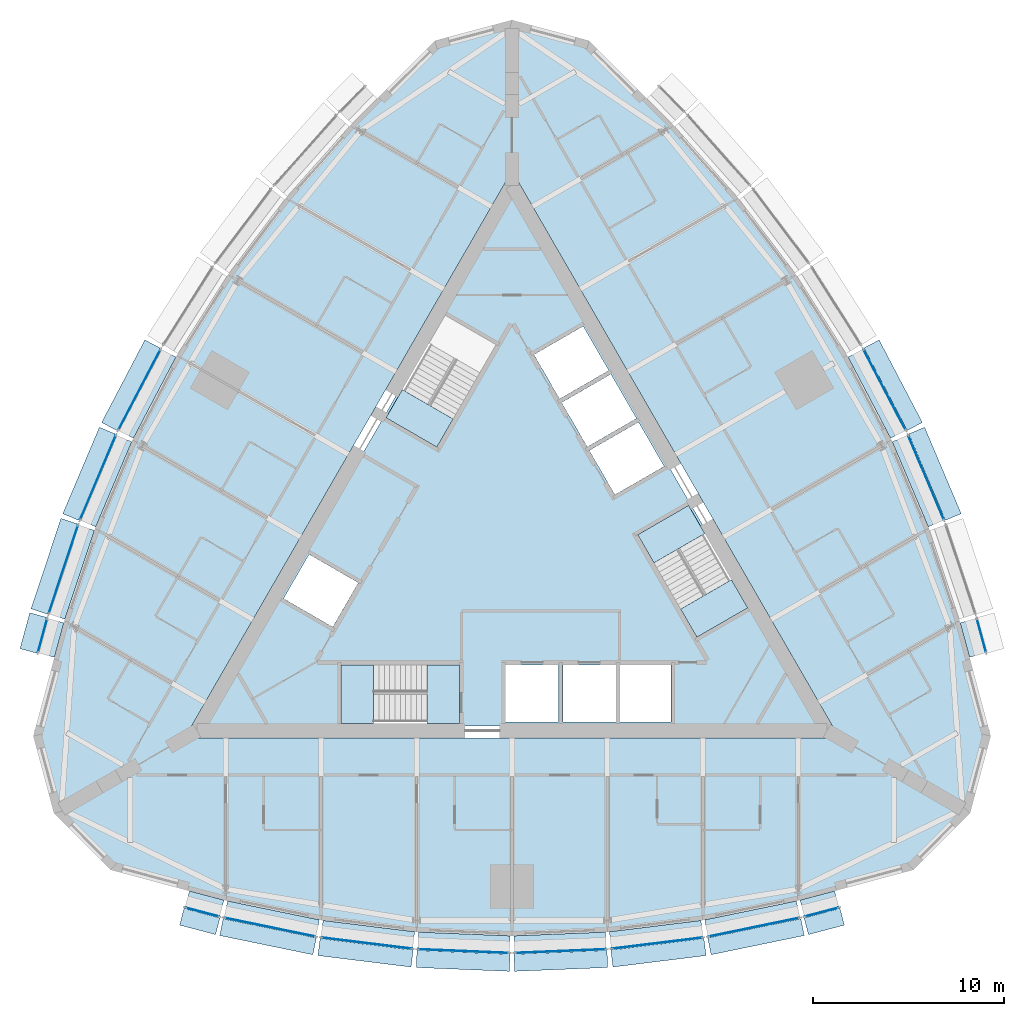
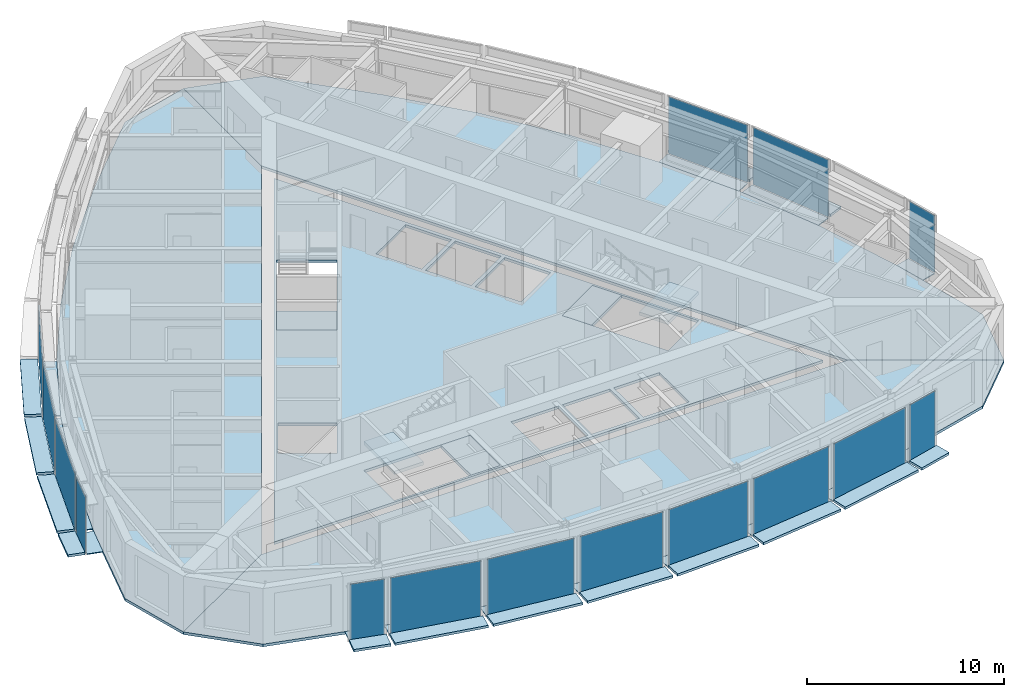
# One storey, part 7 of 15: 44 plates, 9 slabs, 18 elements without a shape of their own.
"""IFC4 building model written with IfcOpenShell, lengths in metres."""

from ifc_helpers import new_model, si_unit, direction, frame, origin, origin_2d, place, context, subcontext, project, spatial, polyline, rectangle, outline, extrude, material, layer, layer_set, type_object, element, aggregate, save


model = new_model("IFC4")

# Units and contexts
model_context = context("Model", 3, precision=1e-05, world=origin(), true_north=direction((0.0, 1.0)))
body_context = subcontext(model_context, "Body", "Model", "MODEL_VIEW")
ifc_project = project(units=[si_unit("LENGTHUNIT", "METRE"), si_unit("AREAUNIT", "SQUARE_METRE"), si_unit("VOLUMEUNIT", "CUBIC_METRE"), si_unit("PLANEANGLEUNIT", "RADIAN"), si_unit("MASSUNIT", "GRAM", prefix="KILO")], contexts=[model_context])

# Site, building, storey
site_placement = place(None, origin())
site = spatial("IfcSite", under=ifc_project, at=site_placement, CompositionType="ELEMENT")
building_placement = place(site_placement, origin())
building = spatial("IfcBuilding", under=site, at=building_placement, Name="Trikona Tower", CompositionType="ELEMENT")
storey_placement = place(building_placement, frame((0.0, 0.0, 218.89990234375)))
storey = spatial("IfcBuildingStorey", under=building, at=storey_placement, Name="L58", CompositionType="ELEMENT", Elevation=218.89990234375)

# Plates
ifc_material_1 = material(Name="Aluminium bar grating", Category="aluminium")
ifc_layer_1 = layer(ifc_material_1, 0.050048828125)
ifc_layer_set_1 = layer_set([ifc_layer_1], Name="Cavity catwalk grating")
plate_type_1 = type_object("IfcPlateType", Name="Cavity catwalk grating", PredefinedType="USERDEFINED", material=ifc_layer_set_1)
plate_1_placement = place(storey_placement, frame((-16.10693359375, -18.5673828125, -0.0498046875), z_axis=(0.0, 0.0, 1.0), x_axis=(0.966993038714, -0.254802792527, 0.0)))
element("IfcPlate", 1, at=plate_1_placement, inside=storey, type_object=plate_type_1, Name="Cavity catwalk L58-00", ObjectType="CATWALK GRATING", PredefinedType="USERDEFINED", context=body_context, shape_type="SweptSolid", body=[
    extrude(rectangle(XDim=1.868408203125, YDim=0.840087890625, at=origin_2d()), origin(), (0.0, 0.0, 1.0), 0.050048828125),
])
plate_2_placement = place(storey_placement, frame((-12.584716796875, -19.35107421875, -0.0498046875), z_axis=(0.0, 0.0, 1.0), x_axis=(0.979457514864, -0.201650629992, 0.0)))
element("IfcPlate", 2, at=plate_2_placement, inside=storey, type_object=plate_type_1, Name="Cavity catwalk L58-01", ObjectType="CATWALK GRATING", PredefinedType="USERDEFINED", context=body_context, shape_type="SweptSolid", body=[
    extrude(rectangle(XDim=4.90478515625, YDim=0.840087890625, at=origin_2d()), origin(), (0.0, 0.0, 1.0), 0.050048828125),
])
plate_3_placement = place(storey_placement, frame((-7.551513671875, -20.179931640625, -0.0498046875), z_axis=(0.0, 0.0, 1.0), x_axis=(0.992455266199, -0.122607277901, 0.0)))
element("IfcPlate", 3, at=plate_3_placement, inside=storey, type_object=plate_type_1, Name="Cavity catwalk L58-02", ObjectType="CATWALK GRATING", PredefinedType="USERDEFINED", context=body_context, shape_type="SweptSolid", body=[
    extrude(rectangle(XDim=4.837890625, YDim=0.840087890625, at=origin_2d()), origin(), (0.0, 0.0, 1.0), 0.050048828125),
])
for number, where, z_axis, x_axis, name in (
    (4, (-2.517333984375, -20.594482421875, -0.0498046875), (0.0, 0.0, 1.0), (0.999153186307, -0.041144991109, 0.0), "Cavity catwalk L58-03"),
    (5, (2.517333984375, -20.594482421875, -0.0498046875), (0.0, 0.0, 1.0), (0.999153186307, 0.041144991109, 0.0), "Cavity catwalk L58-04"),
):
    element("IfcPlate", number, at=place(storey_placement, frame(where, z_axis=z_axis, x_axis=x_axis)), inside=storey, type_object=plate_type_1, Name=name, ObjectType="CATWALK GRATING", PredefinedType="USERDEFINED", context=body_context, shape_type="SweptSolid", body=[
        extrude(rectangle(XDim=4.80419921875, YDim=0.840087890625, at=origin_2d()), origin(), (0.0, 0.0, 1.0), 0.050048828125),
    ])
plate_4_placement = place(storey_placement, frame((7.551513671875, -20.179931640625, -0.0498046875), z_axis=(0.0, 0.0, 1.0), x_axis=(0.992455266199, 0.122607277901, 0.0)))
element("IfcPlate", 6, at=plate_4_placement, inside=storey, type_object=plate_type_1, Name="Cavity catwalk L58-05", ObjectType="CATWALK GRATING", PredefinedType="USERDEFINED", context=body_context, shape_type="SweptSolid", body=[
    extrude(rectangle(XDim=4.837890625, YDim=0.840087890625, at=origin_2d()), origin(), (0.0, 0.0, 1.0), 0.050048828125),
])
plate_5_placement = place(storey_placement, frame((12.584716796875, -19.35107421875, -0.0498046875), z_axis=(0.0, 0.0, 1.0), x_axis=(0.979457514864, 0.201650629992, 0.0)))
element("IfcPlate", 7, at=plate_5_placement, inside=storey, type_object=plate_type_1, Name="Cavity catwalk L58-06", ObjectType="CATWALK GRATING", PredefinedType="USERDEFINED", context=body_context, shape_type="SweptSolid", body=[
    extrude(rectangle(XDim=4.90478515625, YDim=0.840087890625, at=origin_2d()), origin(), (0.0, 0.0, 1.0), 0.050048828125),
])
for number, where, z_axis, x_axis, name in (
    (8, (16.10693359375, -18.5673828125, -0.0498046875), (0.0, 0.0, 1.0), (0.966993038714, 0.254802792527, 0.0), "Cavity catwalk L58-07"),
    (9, (24.13330078125, -4.665283203125, -0.0498046875), (0.0, 0.0, 1.0), (-0.262822408229, 0.964844226667, 0.0), "Cavity catwalk L58-12"),
):
    element("IfcPlate", number, at=place(storey_placement, frame(where, z_axis=z_axis, x_axis=x_axis)), inside=storey, type_object=plate_type_1, Name=name, ObjectType="CATWALK GRATING", PredefinedType="USERDEFINED", context=body_context, shape_type="SweptSolid", body=[
        extrude(rectangle(XDim=1.868408203125, YDim=0.840087890625, at=origin_2d()), origin(), (0.0, 0.0, 1.0), 0.050048828125),
    ])
plate_6_placement = place(storey_placement, frame((21.252197265625, 3.55029296875, -0.0498046875), z_axis=(0.0, 0.0, 1.0), x_axis=(-0.390051437015, 0.920793069306, 0.0)))
element("IfcPlate", 10, at=plate_6_placement, inside=storey, type_object=plate_type_1, Name="Cavity catwalk L58-14", ObjectType="CATWALK GRATING", PredefinedType="USERDEFINED", context=body_context, shape_type="SweptSolid", body=[
    extrude(rectangle(XDim=4.837890625, YDim=0.840087890625, at=origin_2d()), origin(), (0.0, 0.0, 1.0), 0.050048828125),
])
for number, where, z_axis, x_axis, name in (
    (11, (19.093994140625, 8.1171875, -0.0498046875), (0.0, 0.0, 1.0), (-0.463951716224, 0.885860488459, 0.0), "Cavity catwalk L58-15"),
    (12, (-19.093994140625, 8.1171875, -0.0498046875), (0.0, 0.0, 1.0), (-0.463951716224, -0.885860488459, 0.0), "Cavity catwalk L58-28"),
):
    element("IfcPlate", number, at=place(storey_placement, frame(where, z_axis=z_axis, x_axis=x_axis)), inside=storey, type_object=plate_type_1, Name=name, ObjectType="CATWALK GRATING", PredefinedType="USERDEFINED", context=body_context, shape_type="SweptSolid", body=[
        extrude(rectangle(XDim=4.80419921875, YDim=0.840087890625, at=origin_2d()), origin(), (0.0, 0.0, 1.0), 0.050048828125),
    ])
plate_7_placement = place(storey_placement, frame((-21.252197265625, 3.55029296875, -0.0498046875), z_axis=(0.0, 0.0, 1.0), x_axis=(-0.390051437015, -0.920793069306, 0.0)))
element("IfcPlate", 13, at=plate_7_placement, inside=storey, type_object=plate_type_1, Name="Cavity catwalk L58-29", ObjectType="CATWALK GRATING", PredefinedType="USERDEFINED", context=body_context, shape_type="SweptSolid", body=[
    extrude(rectangle(XDim=4.837890625, YDim=0.840087890625, at=origin_2d()), origin(), (0.0, 0.0, 1.0), 0.050048828125),
])
plate_8_placement = place(storey_placement, frame((-23.05078125, -1.22314453125, -0.0498046875), z_axis=(0.0, 0.0, 1.0), x_axis=(-0.315092532747, -0.949060954737, 0.0)))
element("IfcPlate", 14, at=plate_8_placement, inside=storey, type_object=plate_type_1, Name="Cavity catwalk L58-30", ObjectType="CATWALK GRATING", PredefinedType="USERDEFINED", context=body_context, shape_type="SweptSolid", body=[
    extrude(rectangle(XDim=4.90478515625, YDim=0.840087890625, at=origin_2d()), origin(), (0.0, 0.0, 1.0), 0.050048828125),
])
plate_9_placement = place(storey_placement, frame((-24.13330078125, -4.665283203125, -0.0498046875), z_axis=(0.0, 0.0, 1.0), x_axis=(-0.262822408229, -0.964844226667, 0.0)))
element("IfcPlate", 15, at=plate_9_placement, inside=storey, type_object=plate_type_1, Name="Cavity catwalk L58-31", ObjectType="CATWALK GRATING", PredefinedType="USERDEFINED", context=body_context, shape_type="SweptSolid", body=[
    extrude(rectangle(XDim=1.868408203125, YDim=0.840087890625, at=origin_2d()), origin(), (0.0, 0.0, 1.0), 0.050048828125),
])

# Slabs
ifc_material_2 = material(Name="Concrete f'c 5000 psi lightweight on composite steel deck", Category="concrete")
ifc_layer_2 = layer(ifc_material_2, 0.1650390625)
ifc_layer_set_2 = layer_set([ifc_layer_2], Name="Composite floor slab 165")
slab_type_1 = type_object("IfcSlabType", Name="Composite floor slab 165", PredefinedType="FLOOR", material=ifc_layer_set_2)
slab_1_placement = place(storey_placement, frame((0.0, 0.0, -0.164794921875)))
element("IfcSlab", 16, at=slab_1_placement, inside=storey, type_object=slab_type_1, Name="Floor slab L58 core", PredefinedType="FLOOR", context=body_context, shape_type="SweptSolid", body=[
    extrude(outline(polyline([(-16.06689453125, -9.2763671875), (16.06689453125, -9.2763671875), (0.0, 18.552490234375), (-16.06689453125, -9.2763671875)]), holes=[polyline([(6.587158203125, 0.7431640625), (9.687255859375, -4.626220703125), (12.35009765625, -3.088623046875), (9.250244140625, 2.28076171875), (6.587158203125, 0.7431640625)]), polyline([(5.659912109375, -6.086181640625), (5.659912109375, -9.06640625), (8.340087890625, -9.06640625), (8.340087890625, -6.086181640625), (5.659912109375, -6.086181640625)]), polyline([(6.631591796875, 6.646240234375), (4.05078125, 5.15625), (5.390869140625, 2.835205078125), (7.9716796875, 4.3251953125), (6.631591796875, 6.646240234375)]), polyline([(6.521484375, 6.8369140625), (5.181640625, 9.15771484375), (2.600830078125, 7.667724609375), (3.94091796875, 5.3466796875), (6.521484375, 6.8369140625)]), polyline([(2.659912109375, -9.06640625), (5.43994140625, -9.06640625), (5.43994140625, -6.086181640625), (2.659912109375, -6.086181640625), (2.659912109375, -9.06640625)]), polyline([(2.490966796875, 7.858154296875), (5.071533203125, 9.34814453125), (3.731689453125, 11.669189453125), (1.15087890625, 10.17919921875), (2.490966796875, 7.858154296875)]), polyline([(2.43994140625, -9.06640625), (2.43994140625, -6.086181640625), (-0.340087890625, -6.086181640625), (-0.340087890625, -9.06640625), (2.43994140625, -9.06640625)]), polyline([(-3.937255859375, 5.3330078125), (-0.837158203125, 10.702392578125), (-3.500244140625, 12.239990234375), (-6.60009765625, 6.87060546875), (-3.937255859375, 5.3330078125)]), polyline([(-2.75, -6.076416015625), (-8.949951171875, -6.076416015625), (-8.949951171875, -9.1513671875), (-2.75, -9.1513671875), (-2.75, -6.076416015625)]), polyline([(-11.9716796875, -2.602783203125), (-9.390869140625, -4.093017578125), (-8.05078125, -1.77197265625), (-10.631591796875, -0.281982421875), (-11.9716796875, -2.602783203125)])]), origin(), (0.0, 0.0, 1.0), 0.164794921875),
])
slab_2_placement = place(storey_placement, frame((0.0, 0.0, -0.164794921875)))
element("IfcSlab", 17, at=slab_2_placement, inside=storey, type_object=slab_type_1, Name="Floor slab L58 south", PredefinedType="FLOOR", context=body_context, shape_type="SweptSolid", body=[
    extrude(outline(polyline([(21.04150390625, -16.81494140625), (24.0, -13.8564453125), (17.1494140625, -9.9013671875), (-17.1494140625, -9.9013671875), (-24.0, -13.8564453125), (-21.04150390625, -16.81494140625), (-17.0, -17.89794921875), (-15.0, -18.4248046875), (-10.0, -19.454345703125), (-5.0, -20.072021484375), (0.0, -20.27783203125), (5.0, -20.072021484375), (10.0, -19.454345703125), (15.0, -18.4248046875), (17.0, -17.89794921875), (21.04150390625, -16.81494140625)])), origin(), (0.0, 0.0, 1.0), 0.164794921875),
])
slab_3_placement = place(storey_placement, frame((0.0, 0.0, -0.164794921875)))
element("IfcSlab", 18, at=slab_3_placement, inside=storey, type_object=slab_type_1, Name="Floor slab L58 north-east", PredefinedType="FLOOR", context=body_context, shape_type="SweptSolid", body=[
    extrude(outline(polyline([(4.04150390625, 26.6298828125), (0.0, 27.712890625), (0.0, 19.802490234375), (17.1494140625, -9.9013671875), (24.0, -13.8564453125), (25.0830078125, -9.81494140625), (24.0, -5.7734375), (23.456298828125, -3.77783203125), (21.847900390625, 1.06689453125), (19.8828125, 5.705810546875), (17.56103515625, 10.138916015625), (14.8828125, 14.3662109375), (11.847900390625, 18.387451171875), (8.456298828125, 22.202880859375), (7.0, 23.67138671875), (4.04150390625, 26.6298828125)])), origin(), (0.0, 0.0, 1.0), 0.164794921875),
])
slab_4_placement = place(storey_placement, frame((0.0, 0.0, -0.164794921875)))
element("IfcSlab", 19, at=slab_4_placement, inside=storey, type_object=slab_type_1, Name="Floor slab L58 north-west", PredefinedType="FLOOR", context=body_context, shape_type="SweptSolid", body=[
    extrude(outline(polyline([(-7.0, 23.67138671875), (-8.456298828125, 22.202880859375), (-11.847900390625, 18.387451171875), (-14.8828125, 14.3662109375), (-17.56103515625, 10.138916015625), (-19.8828125, 5.705810546875), (-21.847900390625, 1.06689453125), (-23.456298828125, -3.77783203125), (-24.0, -5.7734375), (-25.0830078125, -9.81494140625), (-24.0, -13.8564453125), (-17.1494140625, -9.9013671875), (0.0, 19.802490234375), (0.0, 27.712890625), (-4.04150390625, 26.6298828125), (-7.0, 23.67138671875)])), origin(), (0.0, 0.0, 1.0), 0.164794921875),
])

# Curtain wall, plate
ifc_material_3 = material(Name="Aluminium curtain wall system", Category="aluminium")
curtain_wall_type = type_object("IfcCurtainWallType", Name="Curtain wall DS3", PredefinedType="NOTDEFINED", material=ifc_material_3)
curtain_wall_1_placement = place(storey_placement, origin())
curtain_wall_1 = element("IfcCurtainWall", 20, at=curtain_wall_1_placement, inside=storey, type_object=curtain_wall_type, Name="Curtain wall DS3 L58", PredefinedType="NOTDEFINED")
ifc_material_4 = material(Name="Laminated clear glass", Category="glass")
ifc_layer_3 = layer(ifc_material_4, 0.028076171875)
ifc_layer_set_3 = layer_set([ifc_layer_3], Name="Glass panel DS3")
plate_type_2 = type_object("IfcPlateType", Name="Glass panel DS3", PredefinedType="CURTAIN_PANEL", material=ifc_layer_set_3)
plate_10_placement = place(storey_placement, frame((-16.229248046875, -19.03173828125, 0.0), z_axis=(0.0, 0.0, 1.0), x_axis=(0.966997369647, -0.25478635579, 0.0)))
plate_10 = element("IfcPlate", 21, at=plate_10_placement, type_object=plate_type_2, Name="CW-DS3 panel 1.1", PredefinedType="CURTAIN_PANEL", context=body_context, shape_type="SweptSolid", body=[
    extrude(rectangle(XDim=1.808349609375, YDim=0.028076171875, at=origin_2d()), origin(), (0.0, 0.0, 1.0), 3.530029296875),
])
aggregate(curtain_wall_1, [plate_10])

curtain_wall_2_placement = place(storey_placement, origin())
curtain_wall_2 = element("IfcCurtainWall", 22, at=curtain_wall_2_placement, inside=storey, type_object=curtain_wall_type, Name="Curtain wall DS3 L58", PredefinedType="NOTDEFINED")
plate_11_placement = place(storey_placement, frame((-12.681396484375, -19.821044921875, 0.0), z_axis=(0.0, 0.0, 1.0), x_axis=(0.979457043256, -0.201652920672, 0.0)))
plate_11 = element("IfcPlate", 23, at=plate_11_placement, type_object=plate_type_2, Name="CW-DS3 panel 1.1", PredefinedType="CURTAIN_PANEL", context=body_context, shape_type="SweptSolid", body=[
    extrude(rectangle(XDim=4.8447265625, YDim=0.028076171875, at=origin_2d()), origin(), (0.0, 0.0, 1.0), 3.530029296875),
])
aggregate(curtain_wall_2, [plate_11])

curtain_wall_3_placement = place(storey_placement, origin())
curtain_wall_3 = element("IfcCurtainWall", 24, at=curtain_wall_3_placement, inside=storey, type_object=curtain_wall_type, Name="Curtain wall DS3 L58", PredefinedType="NOTDEFINED")
plate_12_placement = place(storey_placement, frame((-7.6103515625, -20.656494140625, 0.0), z_axis=(0.0, 0.0, 1.0), x_axis=(0.992454850785, -0.122610640458, 0.0)))
plate_12 = element("IfcPlate", 25, at=plate_12_placement, type_object=plate_type_2, Name="CW-DS3 panel 1.1", PredefinedType="CURTAIN_PANEL", context=body_context, shape_type="SweptSolid", body=[
    extrude(rectangle(XDim=4.778076171875, YDim=0.028076171875, at=origin_2d()), origin(), (0.0, 0.0, 1.0), 3.530029296875),
])
aggregate(curtain_wall_3, [plate_12])

curtain_wall_4_placement = place(storey_placement, origin())
curtain_wall_4 = element("IfcCurtainWall", 26, at=curtain_wall_4_placement, inside=storey, type_object=curtain_wall_type, Name="Curtain wall DS3 L58", PredefinedType="NOTDEFINED")
plate_13_placement = place(storey_placement, frame((-2.537109375, -21.07421875, 0.0), z_axis=(0.0, 0.0, 1.0), x_axis=(0.999152865157, -0.04115278907, 0.0)))
plate_13 = element("IfcPlate", 27, at=plate_13_placement, type_object=plate_type_2, Name="CW-DS3 panel 1.1", PredefinedType="CURTAIN_PANEL", context=body_context, shape_type="SweptSolid", body=[
    extrude(rectangle(XDim=4.744140625, YDim=0.028076171875, at=origin_2d()), origin(), (0.0, 0.0, 1.0), 3.530029296875),
])
aggregate(curtain_wall_4, [plate_13])

curtain_wall_5_placement = place(storey_placement, origin())
curtain_wall_5 = element("IfcCurtainWall", 28, at=curtain_wall_5_placement, inside=storey, type_object=curtain_wall_type, Name="Curtain wall DS3 L58", PredefinedType="NOTDEFINED")
plate_14_placement = place(storey_placement, frame((2.537109375, -21.07421875, 0.0), z_axis=(0.0, 0.0, 1.0), x_axis=(0.999152865157, 0.04115278907, 0.0)))
plate_14 = element("IfcPlate", 29, at=plate_14_placement, type_object=plate_type_2, Name="CW-DS3 panel 1.1", PredefinedType="CURTAIN_PANEL", context=body_context, shape_type="SweptSolid", body=[
    extrude(rectangle(XDim=4.744140625, YDim=0.028076171875, at=origin_2d()), origin(), (0.0, 0.0, 1.0), 3.530029296875),
])
aggregate(curtain_wall_5, [plate_14])

curtain_wall_6_placement = place(storey_placement, origin())
curtain_wall_6 = element("IfcCurtainWall", 30, at=curtain_wall_6_placement, inside=storey, type_object=curtain_wall_type, Name="Curtain wall DS3 L58", PredefinedType="NOTDEFINED")
plate_15_placement = place(storey_placement, frame((7.6103515625, -20.656494140625, 0.0), z_axis=(0.0, 0.0, 1.0), x_axis=(0.992454850785, 0.122610640458, 0.0)))
plate_15 = element("IfcPlate", 31, at=plate_15_placement, type_object=plate_type_2, Name="CW-DS3 panel 1.1", PredefinedType="CURTAIN_PANEL", context=body_context, shape_type="SweptSolid", body=[
    extrude(rectangle(XDim=4.778076171875, YDim=0.028076171875, at=origin_2d()), origin(), (0.0, 0.0, 1.0), 3.530029296875),
])
aggregate(curtain_wall_6, [plate_15])

curtain_wall_7_placement = place(storey_placement, origin())
curtain_wall_7 = element("IfcCurtainWall", 32, at=curtain_wall_7_placement, inside=storey, type_object=curtain_wall_type, Name="Curtain wall DS3 L58", PredefinedType="NOTDEFINED")
plate_16_placement = place(storey_placement, frame((12.681396484375, -19.821044921875, 0.0), z_axis=(0.0, 0.0, 1.0), x_axis=(0.979457043256, 0.201652920672, 0.0)))
plate_16 = element("IfcPlate", 33, at=plate_16_placement, type_object=plate_type_2, Name="CW-DS3 panel 1.1", PredefinedType="CURTAIN_PANEL", context=body_context, shape_type="SweptSolid", body=[
    extrude(rectangle(XDim=4.8447265625, YDim=0.028076171875, at=origin_2d()), origin(), (0.0, 0.0, 1.0), 3.530029296875),
])
aggregate(curtain_wall_7, [plate_16])

curtain_wall_8_placement = place(storey_placement, origin())
curtain_wall_8 = element("IfcCurtainWall", 34, at=curtain_wall_8_placement, inside=storey, type_object=curtain_wall_type, Name="Curtain wall DS3 L58", PredefinedType="NOTDEFINED")
plate_17_placement = place(storey_placement, frame((16.229248046875, -19.03173828125, 0.0), z_axis=(0.0, 0.0, 1.0), x_axis=(0.966997369647, 0.25478635579, 0.0)))
plate_17 = element("IfcPlate", 35, at=plate_17_placement, type_object=plate_type_2, Name="CW-DS3 panel 1.1", PredefinedType="CURTAIN_PANEL", context=body_context, shape_type="SweptSolid", body=[
    extrude(rectangle(XDim=1.808349609375, YDim=0.028076171875, at=origin_2d()), origin(), (0.0, 0.0, 1.0), 3.530029296875),
])
aggregate(curtain_wall_8, [plate_17])

curtain_wall_9_placement = place(storey_placement, origin())
curtain_wall_9 = element("IfcCurtainWall", 36, at=curtain_wall_9_placement, inside=storey, type_object=curtain_wall_type, Name="Curtain wall DS3 L58", PredefinedType="NOTDEFINED")
plate_18_placement = place(storey_placement, frame((24.596435546875, -4.539306640625, 0.0), z_axis=(0.0, 0.0, 1.0), x_axis=(-0.262843784676, 0.964838403494, 0.0)))
plate_18 = element("IfcPlate", 37, at=plate_18_placement, type_object=plate_type_2, Name="CW-DS3 panel 1.1", PredefinedType="CURTAIN_PANEL", context=body_context, shape_type="SweptSolid", body=[
    extrude(rectangle(XDim=1.808349609375, YDim=0.028076171875, at=origin_2d()), origin(), (0.0, 0.0, 1.0), 3.530029296875),
])
aggregate(curtain_wall_9, [plate_18])

curtain_wall_10_placement = place(storey_placement, origin())
curtain_wall_10 = element("IfcCurtainWall", 38, at=curtain_wall_10_placement, inside=storey, type_object=curtain_wall_type, Name="Curtain wall DS3 L58", PredefinedType="NOTDEFINED")
plate_19_placement = place(storey_placement, frame((21.694091796875, 3.737548828125, 0.0), z_axis=(0.0, 0.0, 1.0), x_axis=(-0.390053199266, 0.920792322808, 0.0)))
plate_19 = element("IfcPlate", 39, at=plate_19_placement, type_object=plate_type_2, Name="CW-DS3 panel 1.1", PredefinedType="CURTAIN_PANEL", context=body_context, shape_type="SweptSolid", body=[
    extrude(rectangle(XDim=4.778076171875, YDim=0.028076171875, at=origin_2d()), origin(), (0.0, 0.0, 1.0), 3.530029296875),
])
aggregate(curtain_wall_10, [plate_19])

curtain_wall_11_placement = place(storey_placement, origin())
curtain_wall_11 = element("IfcCurtainWall", 40, at=curtain_wall_11_placement, inside=storey, type_object=curtain_wall_type, Name="Curtain wall DS3 L58", PredefinedType="NOTDEFINED")
plate_20_placement = place(storey_placement, frame((19.519287109375, 8.33984375, 0.0), z_axis=(0.0, 0.0, 1.0), x_axis=(-0.463948084434, 0.885862390527, 0.0)))
plate_20 = element("IfcPlate", 41, at=plate_20_placement, type_object=plate_type_2, Name="CW-DS3 panel 1.1", PredefinedType="CURTAIN_PANEL", context=body_context, shape_type="SweptSolid", body=[
    extrude(rectangle(XDim=4.744140625, YDim=0.028076171875, at=origin_2d()), origin(), (0.0, 0.0, 1.0), 3.530029296875),
])
aggregate(curtain_wall_11, [plate_20])

curtain_wall_12_placement = place(storey_placement, origin())
curtain_wall_12 = element("IfcCurtainWall", 42, at=curtain_wall_12_placement, inside=storey, type_object=curtain_wall_type, Name="Curtain wall DS3 L58", PredefinedType="NOTDEFINED")
plate_21_placement = place(storey_placement, frame((-19.519287109375, 8.33984375, 0.0), z_axis=(0.0, 0.0, 1.0), x_axis=(-0.463948084434, -0.885862390527, 0.0)))
plate_21 = element("IfcPlate", 43, at=plate_21_placement, type_object=plate_type_2, Name="CW-DS3 panel 1.1", PredefinedType="CURTAIN_PANEL", context=body_context, shape_type="SweptSolid", body=[
    extrude(rectangle(XDim=4.744140625, YDim=0.028076171875, at=origin_2d()), origin(), (0.0, 0.0, 1.0), 3.530029296875),
])
aggregate(curtain_wall_12, [plate_21])

curtain_wall_13_placement = place(storey_placement, origin())
curtain_wall_13 = element("IfcCurtainWall", 44, at=curtain_wall_13_placement, inside=storey, type_object=curtain_wall_type, Name="Curtain wall DS3 L58", PredefinedType="NOTDEFINED")
plate_22_placement = place(storey_placement, frame((-21.694091796875, 3.737548828125, 0.0), z_axis=(0.0, 0.0, 1.0), x_axis=(-0.390053199266, -0.920792322808, 0.0)))
plate_22 = element("IfcPlate", 45, at=plate_22_placement, type_object=plate_type_2, Name="CW-DS3 panel 1.1", PredefinedType="CURTAIN_PANEL", context=body_context, shape_type="SweptSolid", body=[
    extrude(rectangle(XDim=4.778076171875, YDim=0.028076171875, at=origin_2d()), origin(), (0.0, 0.0, 1.0), 3.530029296875),
])
aggregate(curtain_wall_13, [plate_22])

curtain_wall_14_placement = place(storey_placement, origin())
curtain_wall_14 = element("IfcCurtainWall", 46, at=curtain_wall_14_placement, inside=storey, type_object=curtain_wall_type, Name="Curtain wall DS3 L58", PredefinedType="NOTDEFINED")
plate_23_placement = place(storey_placement, frame((-23.50634765625, -1.072021484375, 0.0), z_axis=(0.0, 0.0, 1.0), x_axis=(-0.315078038687, -0.949065766708, 0.0)))
plate_23 = element("IfcPlate", 47, at=plate_23_placement, type_object=plate_type_2, Name="CW-DS3 panel 1.1", PredefinedType="CURTAIN_PANEL", context=body_context, shape_type="SweptSolid", body=[
    extrude(rectangle(XDim=4.8447265625, YDim=0.028076171875, at=origin_2d()), origin(), (0.0, 0.0, 1.0), 3.530029296875),
])
aggregate(curtain_wall_14, [plate_23])

curtain_wall_15_placement = place(storey_placement, origin())
curtain_wall_15 = element("IfcCurtainWall", 48, at=curtain_wall_15_placement, inside=storey, type_object=curtain_wall_type, Name="Curtain wall DS3 L58", PredefinedType="NOTDEFINED")
plate_24_placement = place(storey_placement, frame((-24.596435546875, -4.539306640625, 0.0), z_axis=(0.0, 0.0, 1.0), x_axis=(-0.262843784676, -0.964838403494, 0.0)))
plate_24 = element("IfcPlate", 49, at=plate_24_placement, type_object=plate_type_2, Name="CW-DS3 panel 1.1", PredefinedType="CURTAIN_PANEL", context=body_context, shape_type="SweptSolid", body=[
    extrude(rectangle(XDim=1.808349609375, YDim=0.028076171875, at=origin_2d()), origin(), (0.0, 0.0, 1.0), 3.530029296875),
])
aggregate(curtain_wall_15, [plate_24])

# Plates
ifc_material_5 = material(Name="Aluminium plate fin, pale anodised, on stainless steel outriggers", Category="steel")
ifc_layer_4 = layer(ifc_material_5, 0.14990234375)
ifc_layer_set_4 = layer_set([ifc_layer_4], Name="Outer skin fin 900")
plate_type_3 = type_object("IfcPlateType", Name="Outer skin fin 900", PredefinedType="USERDEFINED", material=ifc_layer_set_4)
plate_25_placement = place(storey_placement, frame((-16.359375, -19.52490234375, 0.000244140625), z_axis=(0.0, 0.0, 1.0), x_axis=(0.966993038714, -0.254802792527, 0.0)))
element("IfcPlate", 50, at=plate_25_placement, inside=storey, type_object=plate_type_3, Name="Outer skin fin L58-00", ObjectType="FIN", PredefinedType="USERDEFINED", context=body_context, shape_type="SweptSolid", body=[
    extrude(rectangle(XDim=1.9482421875, YDim=0.89990234375, at=origin_2d()), origin(), (0.0, 0.0, 1.0), 0.14990234375),
])
plate_26_placement = place(storey_placement, frame((-12.7841796875, -20.320556640625, 0.000244140625), z_axis=(0.0, 0.0, 1.0), x_axis=(0.979457514864, -0.201650629992, 0.0)))
element("IfcPlate", 51, at=plate_26_placement, inside=storey, type_object=plate_type_3, Name="Outer skin fin L58-01", ObjectType="FIN", PredefinedType="USERDEFINED", context=body_context, shape_type="SweptSolid", body=[
    extrude(rectangle(XDim=4.98486328125, YDim=0.89990234375, at=origin_2d()), origin(), (0.0, 0.0, 1.0), 0.14990234375),
])
plate_27_placement = place(storey_placement, frame((-7.6728515625, -21.16259765625, 0.000244140625), z_axis=(0.0, 0.0, 1.0), x_axis=(0.992455266199, -0.122607277901, 0.0)))
element("IfcPlate", 52, at=plate_27_placement, inside=storey, type_object=plate_type_3, Name="Outer skin fin L58-02", ObjectType="FIN", PredefinedType="USERDEFINED", context=body_context, shape_type="SweptSolid", body=[
    extrude(rectangle(XDim=4.91796875, YDim=0.89990234375, at=origin_2d()), origin(), (0.0, 0.0, 1.0), 0.14990234375),
])
for number, where, z_axis, x_axis, name in (
    (53, (-2.55810546875, -21.583740234375, 0.000244140625), (0.0, 0.0, 1.0), (0.999153186307, -0.041144991109, 0.0), "Outer skin fin L58-03"),
    (54, (2.55810546875, -21.583740234375, 0.000244140625), (0.0, 0.0, 1.0), (0.999153186307, 0.041144991109, 0.0), "Outer skin fin L58-04"),
):
    element("IfcPlate", number, at=place(storey_placement, frame(where, z_axis=z_axis, x_axis=x_axis)), inside=storey, type_object=plate_type_3, Name=name, ObjectType="FIN", PredefinedType="USERDEFINED", context=body_context, shape_type="SweptSolid", body=[
        extrude(rectangle(XDim=4.88427734375, YDim=0.89990234375, at=origin_2d()), origin(), (0.0, 0.0, 1.0), 0.14990234375),
    ])
plate_28_placement = place(storey_placement, frame((7.6728515625, -21.16259765625, 0.000244140625), z_axis=(0.0, 0.0, 1.0), x_axis=(0.992455266199, 0.122607277901, 0.0)))
element("IfcPlate", 55, at=plate_28_placement, inside=storey, type_object=plate_type_3, Name="Outer skin fin L58-05", ObjectType="FIN", PredefinedType="USERDEFINED", context=body_context, shape_type="SweptSolid", body=[
    extrude(rectangle(XDim=4.91796875, YDim=0.89990234375, at=origin_2d()), origin(), (0.0, 0.0, 1.0), 0.14990234375),
])
plate_29_placement = place(storey_placement, frame((12.7841796875, -20.320556640625, 0.000244140625), z_axis=(0.0, 0.0, 1.0), x_axis=(0.979457514864, 0.201650629992, 0.0)))
element("IfcPlate", 56, at=plate_29_placement, inside=storey, type_object=plate_type_3, Name="Outer skin fin L58-06", ObjectType="FIN", PredefinedType="USERDEFINED", context=body_context, shape_type="SweptSolid", body=[
    extrude(rectangle(XDim=4.98486328125, YDim=0.89990234375, at=origin_2d()), origin(), (0.0, 0.0, 1.0), 0.14990234375),
])
plate_30_placement = place(storey_placement, frame((16.359375, -19.52490234375, 0.000244140625), z_axis=(0.0, 0.0, 1.0), x_axis=(0.966993038714, 0.254802792527, 0.0)))
element("IfcPlate", 57, at=plate_30_placement, inside=storey, type_object=plate_type_3, Name="Outer skin fin L58-07", ObjectType="FIN", PredefinedType="USERDEFINED", context=body_context, shape_type="SweptSolid", body=[
    extrude(rectangle(XDim=1.9482421875, YDim=0.89990234375, at=origin_2d()), origin(), (0.0, 0.0, 1.0), 0.14990234375),
])
plate_31_placement = place(storey_placement, frame((22.163818359375, 3.936279296875, 0.000244140625), z_axis=(0.0, 0.0, 1.0), x_axis=(-0.390051437015, 0.920793069306, 0.0)))
element("IfcPlate", 58, at=plate_31_placement, inside=storey, type_object=plate_type_3, Name="Outer skin fin L58-14", ObjectType="FIN", PredefinedType="USERDEFINED", context=body_context, shape_type="SweptSolid", body=[
    extrude(rectangle(XDim=4.91796875, YDim=0.89990234375, at=origin_2d()), origin(), (0.0, 0.0, 1.0), 0.14990234375),
])
for number, where, z_axis, x_axis, name in (
    (59, (19.970947265625, 8.57666015625, 0.000244140625), (0.0, 0.0, 1.0), (-0.463951716224, 0.885860488459, 0.0), "Outer skin fin L58-15"),
    (60, (-19.970947265625, 8.57666015625, 0.000244140625), (0.0, 0.0, 1.0), (-0.463951716224, -0.885860488459, 0.0), "Outer skin fin L58-28"),
):
    element("IfcPlate", number, at=place(storey_placement, frame(where, z_axis=z_axis, x_axis=x_axis)), inside=storey, type_object=plate_type_3, Name=name, ObjectType="FIN", PredefinedType="USERDEFINED", context=body_context, shape_type="SweptSolid", body=[
        extrude(rectangle(XDim=4.88427734375, YDim=0.89990234375, at=origin_2d()), origin(), (0.0, 0.0, 1.0), 0.14990234375),
    ])
plate_32_placement = place(storey_placement, frame((-22.163818359375, 3.936279296875, 0.000244140625), z_axis=(0.0, 0.0, 1.0), x_axis=(-0.390051437015, -0.920793069306, 0.0)))
element("IfcPlate", 61, at=plate_32_placement, inside=storey, type_object=plate_type_3, Name="Outer skin fin L58-29", ObjectType="FIN", PredefinedType="USERDEFINED", context=body_context, shape_type="SweptSolid", body=[
    extrude(rectangle(XDim=4.91796875, YDim=0.89990234375, at=origin_2d()), origin(), (0.0, 0.0, 1.0), 0.14990234375),
])
plate_33_placement = place(storey_placement, frame((-23.990234375, -0.9111328125, 0.000244140625), z_axis=(0.0, 0.0, 1.0), x_axis=(-0.315092532747, -0.949060954737, 0.0)))
element("IfcPlate", 62, at=plate_33_placement, inside=storey, type_object=plate_type_3, Name="Outer skin fin L58-30", ObjectType="FIN", PredefinedType="USERDEFINED", context=body_context, shape_type="SweptSolid", body=[
    extrude(rectangle(XDim=4.98486328125, YDim=0.89990234375, at=origin_2d()), origin(), (0.0, 0.0, 1.0), 0.14990234375),
])
plate_34_placement = place(storey_placement, frame((-25.088623046875, -4.405029296875, 0.000244140625), z_axis=(0.0, 0.0, 1.0), x_axis=(-0.262822408229, -0.964844226667, 0.0)))
element("IfcPlate", 63, at=plate_34_placement, inside=storey, type_object=plate_type_3, Name="Outer skin fin L58-31", ObjectType="FIN", PredefinedType="USERDEFINED", context=body_context, shape_type="SweptSolid", body=[
    extrude(rectangle(XDim=1.9482421875, YDim=0.89990234375, at=origin_2d()), origin(), (0.0, 0.0, 1.0), 0.14990234375),
])

# Stair, slabs
ifc_material_6 = material(Name="Concrete f'c 5000 psi", Category="concrete")
stair_type = type_object("IfcStairType", Name="Core stair", PredefinedType="HALF_TURN_STAIR", material=ifc_material_6)
stair_1_placement = place(storey_placement, origin())
stair_1 = element("IfcStair", 64, at=stair_1_placement, inside=storey, type_object=stair_type, Name="Stair A L58", PredefinedType="HALF_TURN_STAIR")
ifc_material_7 = material(Name="Concrete f'c 5000 psi", Category="concrete")
ifc_layer_5 = layer(ifc_material_7, 0.199951171875)
ifc_layer_set_5 = layer_set([ifc_layer_5], Name="Stair landing 200")
slab_type_2 = type_object("IfcSlabType", Name="Stair landing 200", PredefinedType="LANDING", material=ifc_layer_set_5)
slab_5_placement = place(storey_placement, frame((0.0, 0.0, -0.199951171875)))
slab_5 = element("IfcSlab", 65, at=slab_5_placement, type_object=slab_type_2, Name="ST-A landing 1", PredefinedType="LANDING", context=body_context, shape_type="SweptSolid", body=[
    extrude(outline(polyline([(-4.452880859375, -6.076416015625), (-2.75, -6.076416015625), (-2.75, -9.1513671875), (-4.452880859375, -9.1513671875), (-4.452880859375, -6.076416015625)])), origin(), (0.0, 0.0, 1.0), 0.199951171875),
])
slab_6_placement = place(storey_placement, frame((0.0, 0.0, 1.60009765625)))
slab_6 = element("IfcSlab", 66, at=slab_6_placement, type_object=slab_type_2, Name="ST-A landing 2", PredefinedType="LANDING", context=body_context, shape_type="SweptSolid", body=[
    extrude(outline(polyline([(-8.949951171875, -6.076416015625), (-7.2470703125, -6.076416015625), (-7.2470703125, -9.1513671875), (-8.949951171875, -9.1513671875), (-8.949951171875, -6.076416015625)])), origin(), (0.0, 0.0, 1.0), 0.199951171875),
])
aggregate(stair_1, [slab_5, slab_6])

stair_2_placement = place(storey_placement, origin())
stair_2 = element("IfcStair", 67, at=stair_2_placement, inside=storey, type_object=stair_type, Name="Stair B L58", PredefinedType="HALF_TURN_STAIR")
slab_7_placement = place(storey_placement, frame((0.0, 0.0, -0.199951171875)))
slab_7 = element("IfcSlab", 68, at=slab_7_placement, type_object=slab_type_2, Name="ST-B landing 1", PredefinedType="LANDING", context=body_context, shape_type="SweptSolid", body=[
    extrude(outline(polyline([(7.438720703125, -0.731689453125), (6.587158203125, 0.7431640625), (9.250244140625, 2.28076171875), (10.101806640625, 0.805908203125), (7.438720703125, -0.731689453125)])), origin(), (0.0, 0.0, 1.0), 0.199951171875),
])
slab_8_placement = place(storey_placement, frame((0.0, 0.0, 1.60009765625)))
slab_8 = element("IfcSlab", 69, at=slab_8_placement, type_object=slab_type_2, Name="ST-B landing 2", PredefinedType="LANDING", context=body_context, shape_type="SweptSolid", body=[
    extrude(outline(polyline([(9.687255859375, -4.626220703125), (8.835693359375, -3.1513671875), (11.498779296875, -1.61376953125), (12.35009765625, -3.088623046875), (9.687255859375, -4.626220703125)])), origin(), (0.0, 0.0, 1.0), 0.199951171875),
])
aggregate(stair_2, [slab_7, slab_8])

# Stair, slab
stair_3_placement = place(storey_placement, origin())
stair_3 = element("IfcStair", 70, at=stair_3_placement, inside=storey, type_object=stair_type, Name="Stair C L58", PredefinedType="HALF_TURN_STAIR")
slab_9_placement = place(storey_placement, frame((0.0, 0.0, -0.199951171875)))
slab_9 = element("IfcSlab", 71, at=slab_9_placement, type_object=slab_type_2, Name="ST-C landing 1", PredefinedType="LANDING", context=body_context, shape_type="SweptSolid", body=[
    extrude(outline(polyline([(-3.085693359375, 6.807861328125), (-3.937255859375, 5.3330078125), (-6.60009765625, 6.87060546875), (-5.748779296875, 8.345458984375), (-3.085693359375, 6.807861328125)])), origin(), (0.0, 0.0, 1.0), 0.199951171875),
])
aggregate(stair_3, [slab_9])

save(model, "model.ifc")
